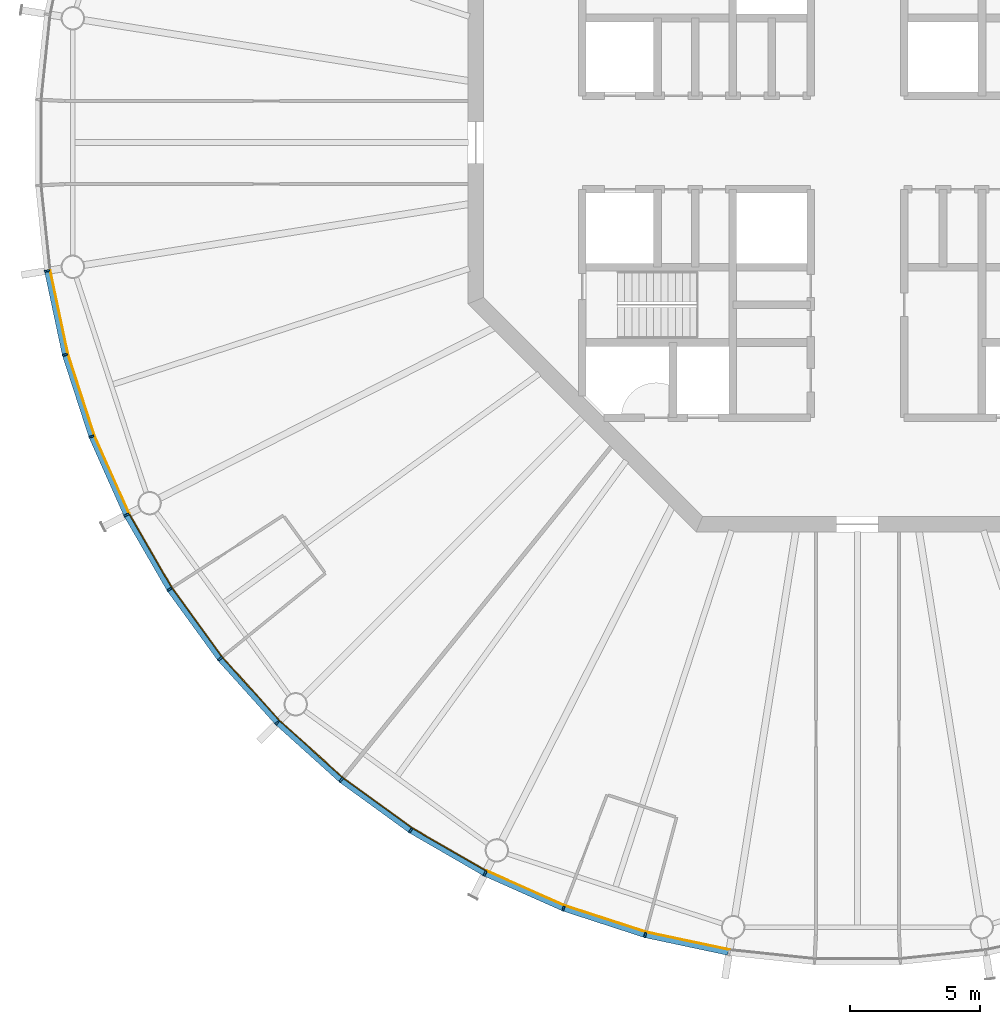
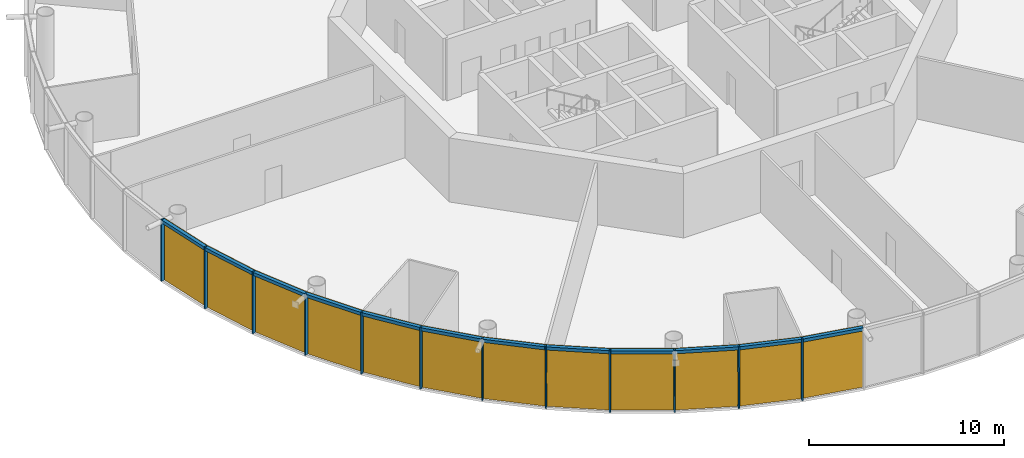
# One storey, part 12 of 18: 24 members, 4 curtain walls.
"""IFC4 building model written with IfcOpenShell, lengths in metres."""

from ifc_helpers import new_model, si_unit, direction, frame, origin, origin_2d, place, context, subcontext, project, spatial, polyline, rectangle, outline, extrude, material, layer, layer_set, material_profile, profile_set, type_object, element, aggregate, save


model = new_model("IFC4")

# Units and contexts
model_context = context("Model", 3, precision=1e-05, world=origin(), true_north=direction((0.0, 1.0)))
body_context = subcontext(model_context, "Body", "Model", "MODEL_VIEW")
ifc_project = project(units=[si_unit("LENGTHUNIT", "METRE"), si_unit("AREAUNIT", "SQUARE_METRE"), si_unit("VOLUMEUNIT", "CUBIC_METRE"), si_unit("PLANEANGLEUNIT", "RADIAN"), si_unit("MASSUNIT", "GRAM", prefix="KILO")], contexts=[model_context])

# Member
ifc_material_1 = material(Name="Anodised aluminium", Category="aluminium")
ifc_material_profile_1 = material_profile(ifc_material_1, rectangle(XDim=0.070068359375, YDim=0.205078125, at=origin_2d()), Name="Mullion 70 x 205 mm anodised aluminium")
ifc_profile_set_1 = profile_set([ifc_material_profile_1], Name="Anodised aluminium")
member_type_1 = type_object("IfcMemberType", Name="Mullion 70 x 205 mm anodised aluminium", PredefinedType="MULLION", material=ifc_profile_set_1)
site_placement = place(None, origin())
building_placement = place(site_placement, origin())
storey_placement = place(building_placement, frame((0.0, 0.0, 388.0)))
member_1_placement = place(storey_placement, frame((58.78662109375, 75.056396484375, 0.0), z_axis=(0.0, 0.0, 1.0), x_axis=(0.15643446504, -0.987688340595, 0.0)))
member_1 = element("IfcMember", 1, at=member_1_placement, type_object=member_type_1, Name="MULLION L90-30", PredefinedType="MULLION", context=body_context, shape_type="SweptSolid", body=[
    extrude(rectangle(XDim=0.070068359375, YDim=0.205078125, at=origin_2d()), origin(), (0.0, 0.0, 1.0), 3.85009765625),
])

member_2_placement = place(storey_placement, frame((59.474365234375, 71.820556640625, 0.0), z_axis=(0.0, 0.0, 1.0), x_axis=(0.258819045103, -0.965925826289, 0.0)))
member_2 = element("IfcMember", 2, at=member_2_placement, type_object=member_type_1, Name="MULLION L90-31", PredefinedType="MULLION", context=body_context, shape_type="SweptSolid", body=[
    extrude(rectangle(XDim=0.070068359375, YDim=0.205078125, at=origin_2d()), origin(), (0.0, 0.0, 1.0), 3.85009765625),
])

member_3_placement = place(storey_placement, frame((60.49658203125, 68.674560546875, 0.0), z_axis=(0.0, 0.0, 1.0), x_axis=(0.358367949545, -0.933580426497, 0.0)))
member_3 = element("IfcMember", 3, at=member_3_placement, type_object=member_type_1, Name="MULLION L90-32", PredefinedType="MULLION", context=body_context, shape_type="SweptSolid", body=[
    extrude(rectangle(XDim=0.070068359375, YDim=0.205078125, at=origin_2d()), origin(), (0.0, 0.0, 1.0), 3.85009765625),
])

member_4_placement = place(storey_placement, frame((61.842041015625, 65.65283203125, 0.0), z_axis=(0.0, 0.0, 1.0), x_axis=(0.45399049974, -0.891006524188, 0.0)))
member_4 = element("IfcMember", 4, at=member_4_placement, type_object=member_type_1, Name="MULLION L90-33", PredefinedType="MULLION", context=body_context, shape_type="SweptSolid", body=[
    extrude(rectangle(XDim=0.070068359375, YDim=0.205078125, at=origin_2d()), origin(), (0.0, 0.0, 1.0), 3.85009765625),
])

member_5_placement = place(storey_placement, frame((63.495849609375, 62.7880859375, 0.0), z_axis=(0.0, 0.0, 1.0), x_axis=(0.544639035015, -0.838670567945, 0.0)))
member_5 = element("IfcMember", 5, at=member_5_placement, type_object=member_type_1, Name="MULLION L90-34", PredefinedType="MULLION", context=body_context, shape_type="SweptSolid", body=[
    extrude(rectangle(XDim=0.070068359375, YDim=0.205078125, at=origin_2d()), origin(), (0.0, 0.0, 1.0), 3.85009765625),
])

member_6_placement = place(storey_placement, frame((65.440185546875, 60.11181640625, 0.0), z_axis=(0.0, 0.0, 1.0), x_axis=(0.62932039105, -0.777145961457, 0.0)))
member_6 = element("IfcMember", 6, at=member_6_placement, type_object=member_type_1, Name="MULLION L90-35", PredefinedType="MULLION", context=body_context, shape_type="SweptSolid", body=[
    extrude(rectangle(XDim=0.070068359375, YDim=0.205078125, at=origin_2d()), origin(), (0.0, 0.0, 1.0), 3.85009765625),
])

member_7_placement = place(storey_placement, frame((67.653564453125, 57.653564453125, 0.0), z_axis=(0.0, 0.0, 1.0), x_axis=(0.707106781187, -0.707106781187, 0.0)))
member_7 = element("IfcMember", 7, at=member_7_placement, type_object=member_type_1, Name="MULLION L90-36", PredefinedType="MULLION", context=body_context, shape_type="SweptSolid", body=[
    extrude(rectangle(XDim=0.070068359375, YDim=0.205078125, at=origin_2d()), origin(), (0.0, 0.0, 1.0), 3.85009765625),
])

member_8_placement = place(storey_placement, frame((70.11181640625, 55.440185546875, 0.0), z_axis=(0.0, 0.0, 1.0), x_axis=(0.777145961457, -0.62932039105, 0.0)))
member_8 = element("IfcMember", 8, at=member_8_placement, type_object=member_type_1, Name="MULLION L90-37", PredefinedType="MULLION", context=body_context, shape_type="SweptSolid", body=[
    extrude(rectangle(XDim=0.070068359375, YDim=0.205078125, at=origin_2d()), origin(), (0.0, 0.0, 1.0), 3.85009765625),
])

member_9_placement = place(storey_placement, frame((72.7880859375, 53.495849609375, 0.0), z_axis=(0.0, 0.0, 1.0), x_axis=(0.838670567945, -0.544639035015, 0.0)))
member_9 = element("IfcMember", 9, at=member_9_placement, type_object=member_type_1, Name="MULLION L90-38", PredefinedType="MULLION", context=body_context, shape_type="SweptSolid", body=[
    extrude(rectangle(XDim=0.070068359375, YDim=0.205078125, at=origin_2d()), origin(), (0.0, 0.0, 1.0), 3.85009765625),
])

member_10_placement = place(storey_placement, frame((75.65283203125, 51.842041015625, 0.0), z_axis=(0.0, 0.0, 1.0), x_axis=(0.891006524188, -0.45399049974, 0.0)))
member_10 = element("IfcMember", 10, at=member_10_placement, type_object=member_type_1, Name="MULLION L90-39", PredefinedType="MULLION", context=body_context, shape_type="SweptSolid", body=[
    extrude(rectangle(XDim=0.070068359375, YDim=0.205078125, at=origin_2d()), origin(), (0.0, 0.0, 1.0), 3.85009765625),
])

member_11_placement = place(storey_placement, frame((78.674560546875, 50.49658203125, 0.0), z_axis=(0.0, 0.0, 1.0), x_axis=(0.933580426497, -0.358367949545, 0.0)))
member_11 = element("IfcMember", 11, at=member_11_placement, type_object=member_type_1, Name="MULLION L90-40", PredefinedType="MULLION", context=body_context, shape_type="SweptSolid", body=[
    extrude(rectangle(XDim=0.070068359375, YDim=0.205078125, at=origin_2d()), origin(), (0.0, 0.0, 1.0), 3.85009765625),
])

member_12_placement = place(storey_placement, frame((81.820556640625, 49.474365234375, 0.0), z_axis=(0.0, 0.0, 1.0), x_axis=(0.965925826289, -0.258819045103, 0.0)))
member_12 = element("IfcMember", 12, at=member_12_placement, type_object=member_type_1, Name="MULLION L90-41", PredefinedType="MULLION", context=body_context, shape_type="SweptSolid", body=[
    extrude(rectangle(XDim=0.070068359375, YDim=0.205078125, at=origin_2d()), origin(), (0.0, 0.0, 1.0), 3.85009765625),
])

ifc_material_2 = material(Name="Anodised aluminium", Category="aluminium")
ifc_material_profile_2 = material_profile(ifc_material_2, rectangle(XDim=0.205078125, YDim=0.195068359375, at=origin_2d()), Name="Transom 195 x 205 mm anodised aluminium")
ifc_profile_set_2 = profile_set([ifc_material_profile_2], Name="Anodised aluminium")
member_type_2 = type_object("IfcMemberType", Name="Transom 195 x 205 mm anodised aluminium", PredefinedType="USERDEFINED", material=ifc_profile_set_2)
member_13_placement = place(storey_placement, frame((58.794921875, 75.016845703125, 3.75244140625), z_axis=(0.207885898771, -0.978153082647, 0.0), x_axis=(0.978153082647, 0.207885898771, 0.0)))
member_13 = element("IfcMember", 13, at=member_13_placement, type_object=member_type_2, Name="TRANSOM L90-30", ObjectType="TRANSOM", PredefinedType="USERDEFINED", context=body_context, shape_type="SweptSolid", body=[
    extrude(rectangle(XDim=0.205078125, YDim=0.195068359375, at=origin_2d()), origin(), (0.0, 0.0, 1.0), 3.227294921875),
])

member_14_placement = place(storey_placement, frame((59.486572265625, 71.7822265625, 3.75244140625), z_axis=(0.309046726844, -0.951046855117, 0.0), x_axis=(0.951046855117, 0.309046726844, 0.0)))
member_14 = element("IfcMember", 14, at=member_14_placement, type_object=member_type_2, Name="TRANSOM L90-31", ObjectType="TRANSOM", PredefinedType="USERDEFINED", context=body_context, shape_type="SweptSolid", body=[
    extrude(rectangle(XDim=0.205078125, YDim=0.195068359375, at=origin_2d()), origin(), (0.0, 0.0, 1.0), 3.22705078125),
])

member_15_placement = place(storey_placement, frame((60.5126953125, 68.6376953125, 3.75244140625), z_axis=(0.406791170024, -0.913521178731, 0.0), x_axis=(0.913521178731, 0.406791170024, 0.0)))
member_15 = element("IfcMember", 15, at=member_15_placement, type_object=member_type_2, Name="TRANSOM L90-32", ObjectType="TRANSOM", PredefinedType="USERDEFINED", context=body_context, shape_type="SweptSolid", body=[
    extrude(rectangle(XDim=0.205078125, YDim=0.195068359375, at=origin_2d()), origin(), (0.0, 0.0, 1.0), 3.22705078125),
])

member_16_placement = place(storey_placement, frame((61.862060546875, 65.61767578125, 3.75244140625), z_axis=(0.500004055213, -0.866023062494, 0.0), x_axis=(0.866023062494, 0.500004055213, 0.0)))
member_16 = element("IfcMember", 16, at=member_16_placement, type_object=member_type_2, Name="TRANSOM L90-33", ObjectType="TRANSOM", PredefinedType="USERDEFINED", context=body_context, shape_type="SweptSolid", body=[
    extrude(rectangle(XDim=0.205078125, YDim=0.195068359375, at=origin_2d()), origin(), (0.0, 0.0, 1.0), 3.22705078125),
])

member_17_placement = place(storey_placement, frame((63.51953125, 62.75537109375, 3.75244140625), z_axis=(0.587802790201, -0.809004252048, 0.0), x_axis=(0.809004252048, 0.587802790201, 0.0)))
member_17 = element("IfcMember", 17, at=member_17_placement, type_object=member_type_2, Name="TRANSOM L90-34", ObjectType="TRANSOM", PredefinedType="USERDEFINED", context=body_context, shape_type="SweptSolid", body=[
    extrude(rectangle(XDim=0.205078125, YDim=0.195068359375, at=origin_2d()), origin(), (0.0, 0.0, 1.0), 3.227294921875),
])

member_18_placement = place(storey_placement, frame((65.467041015625, 60.081787109375, 3.75244140625), z_axis=(0.669144438484, -0.743132370743, 0.0), x_axis=(0.743132370743, 0.669144438484, 0.0)))
member_18 = element("IfcMember", 18, at=member_18_placement, type_object=member_type_2, Name="TRANSOM L90-35", ObjectType="TRANSOM", PredefinedType="USERDEFINED", context=body_context, shape_type="SweptSolid", body=[
    extrude(rectangle(XDim=0.205078125, YDim=0.195068359375, at=origin_2d()), origin(), (0.0, 0.0, 1.0), 3.22705078125),
])

member_19_placement = place(storey_placement, frame((67.68359375, 57.62646484375, 3.75244140625), z_axis=(0.743132370743, -0.669144438484, 0.0), x_axis=(0.669144438484, 0.743132370743, 0.0)))
member_19 = element("IfcMember", 19, at=member_19_placement, type_object=member_type_2, Name="TRANSOM L90-36", ObjectType="TRANSOM", PredefinedType="USERDEFINED", context=body_context, shape_type="SweptSolid", body=[
    extrude(rectangle(XDim=0.205078125, YDim=0.195068359375, at=origin_2d()), origin(), (0.0, 0.0, 1.0), 3.22705078125),
])

member_20_placement = place(storey_placement, frame((70.14453125, 55.41650390625, 3.75244140625), z_axis=(0.809004252048, -0.587802790201, 0.0), x_axis=(0.587802790201, 0.809004252048, 0.0)))
member_20 = element("IfcMember", 20, at=member_20_placement, type_object=member_type_2, Name="TRANSOM L90-37", ObjectType="TRANSOM", PredefinedType="USERDEFINED", context=body_context, shape_type="SweptSolid", body=[
    extrude(rectangle(XDim=0.205078125, YDim=0.195068359375, at=origin_2d()), origin(), (0.0, 0.0, 1.0), 3.227294921875),
])

member_21_placement = place(storey_placement, frame((72.822998046875, 53.4755859375, 3.75244140625), z_axis=(0.866023062494, -0.500004055213, 0.0), x_axis=(0.500004055213, 0.866023062494, 0.0)))
member_21 = element("IfcMember", 21, at=member_21_placement, type_object=member_type_2, Name="TRANSOM L90-38", ObjectType="TRANSOM", PredefinedType="USERDEFINED", context=body_context, shape_type="SweptSolid", body=[
    extrude(rectangle(XDim=0.205078125, YDim=0.195068359375, at=origin_2d()), origin(), (0.0, 0.0, 1.0), 3.22705078125),
])

member_22_placement = place(storey_placement, frame((75.689697265625, 51.825439453125, 3.75244140625), z_axis=(0.913521178731, -0.406791170024, 0.0), x_axis=(0.406791170024, 0.913521178731, 0.0)))
member_22 = element("IfcMember", 22, at=member_22_placement, type_object=member_type_2, Name="TRANSOM L90-39", ObjectType="TRANSOM", PredefinedType="USERDEFINED", context=body_context, shape_type="SweptSolid", body=[
    extrude(rectangle(XDim=0.205078125, YDim=0.195068359375, at=origin_2d()), origin(), (0.0, 0.0, 1.0), 3.22705078125),
])

member_23_placement = place(storey_placement, frame((78.713134765625, 50.48388671875, 3.75244140625), z_axis=(0.951046855117, -0.309046726844, 0.0), x_axis=(0.309046726844, 0.951046855117, 0.0)))
member_23 = element("IfcMember", 23, at=member_23_placement, type_object=member_type_2, Name="TRANSOM L90-40", ObjectType="TRANSOM", PredefinedType="USERDEFINED", context=body_context, shape_type="SweptSolid", body=[
    extrude(rectangle(XDim=0.205078125, YDim=0.195068359375, at=origin_2d()), origin(), (0.0, 0.0, 1.0), 3.22705078125),
])

member_24_placement = place(storey_placement, frame((81.860107421875, 49.4658203125, 3.75244140625), z_axis=(0.978153082647, -0.207885898771, 0.0), x_axis=(0.207885898771, 0.978153082647, 0.0)))
member_24 = element("IfcMember", 24, at=member_24_placement, type_object=member_type_2, Name="TRANSOM L90-41", ObjectType="TRANSOM", PredefinedType="USERDEFINED", context=body_context, shape_type="SweptSolid", body=[
    extrude(rectangle(XDim=0.205078125, YDim=0.195068359375, at=origin_2d()), origin(), (0.0, 0.0, 1.0), 3.227294921875),
])

# Site, building, storey
site = spatial("IfcSite", under=ifc_project, at=site_placement, CompositionType="ELEMENT")
building = spatial("IfcBuilding", under=site, at=building_placement, Name="Entoto Ring Tower", CompositionType="ELEMENT")
storey = spatial("IfcBuildingStorey", under=building, at=storey_placement, Name="L90", CompositionType="ELEMENT", Elevation=388.0)

# Curtain wall
ifc_material_3 = material(Name="Clear low-iron glass", Category="glass")
ifc_layer = layer(ifc_material_3, 0.035888671875)
ifc_layer_set = layer_set([ifc_layer], Name="Clear low-iron glass")
curtain_wall_type = type_object("IfcCurtainWallType", Name="Curtain wall system CW6 glazing 36 mm", PredefinedType="NOTDEFINED", material=ifc_layer_set)
curtain_wall_1_placement = place(storey_placement, origin())
curtain_wall_1 = element("IfcCurtainWall", 25, at=curtain_wall_1_placement, inside=storey, type_object=curtain_wall_type, Name="CW6 L90-11", PredefinedType="NOTDEFINED", context=body_context, shape_type="SweptSolid", body=[
    extrude(outline(polyline([(58.8876953125, 75.072265625), (59.5732421875, 71.84716796875), (60.59228515625, 68.71142578125), (61.933349609375, 65.69921875), (61.96533203125, 65.715576171875), (60.6259765625, 68.724365234375), (59.608154296875, 71.8564453125), (58.92333984375, 75.077880859375), (58.8876953125, 75.072265625)])), origin(), (0.0, 0.0, 1.0), 3.85009765625),
])

aggregate(curtain_wall_1, [member_1, member_2, member_3, member_13, member_14, member_15])

curtain_wall_2_placement = place(storey_placement, origin())
curtain_wall_2 = element("IfcCurtainWall", 26, at=curtain_wall_2_placement, inside=storey, type_object=curtain_wall_type, Name="CW6 L90-12", PredefinedType="NOTDEFINED", context=body_context, shape_type="SweptSolid", body=[
    extrude(outline(polyline([(61.933349609375, 65.69921875), (63.581787109375, 62.84375), (65.52001953125, 60.176513671875), (67.72607421875, 57.72607421875), (67.751708984375, 57.751708984375), (65.5478515625, 60.198974609375), (63.612060546875, 62.863525390625), (61.96533203125, 65.715576171875), (61.933349609375, 65.69921875)])), origin(), (0.0, 0.0, 1.0), 3.85009765625),
])

aggregate(curtain_wall_2, [member_4, member_5, member_6, member_16, member_17, member_18])

curtain_wall_3_placement = place(storey_placement, origin())
curtain_wall_3 = element("IfcCurtainWall", 27, at=curtain_wall_3_placement, inside=storey, type_object=curtain_wall_type, Name="CW6 L90-13", PredefinedType="NOTDEFINED", context=body_context, shape_type="SweptSolid", body=[
    extrude(outline(polyline([(67.72607421875, 57.72607421875), (70.176513671875, 55.52001953125), (72.84375, 53.581787109375), (75.69921875, 51.933349609375), (75.715576171875, 51.96533203125), (72.863525390625, 53.612060546875), (70.198974609375, 55.5478515625), (67.751708984375, 57.751708984375), (67.72607421875, 57.72607421875)])), origin(), (0.0, 0.0, 1.0), 3.85009765625),
])

aggregate(curtain_wall_3, [member_7, member_8, member_9, member_19, member_20, member_21])

curtain_wall_4_placement = place(storey_placement, origin())
curtain_wall_4 = element("IfcCurtainWall", 28, at=curtain_wall_4_placement, inside=storey, type_object=curtain_wall_type, Name="CW6 L90-14", PredefinedType="NOTDEFINED", context=body_context, shape_type="SweptSolid", body=[
    extrude(outline(polyline([(75.69921875, 51.933349609375), (78.71142578125, 50.59228515625), (81.84716796875, 49.5732421875), (85.072265625, 48.8876953125), (85.077880859375, 48.92333984375), (81.8564453125, 49.608154296875), (78.724365234375, 50.6259765625), (75.715576171875, 51.96533203125), (75.69921875, 51.933349609375)])), origin(), (0.0, 0.0, 1.0), 3.85009765625),
])

aggregate(curtain_wall_4, [member_10, member_11, member_12, member_22, member_23, member_24])

save(model, "model.ifc")
